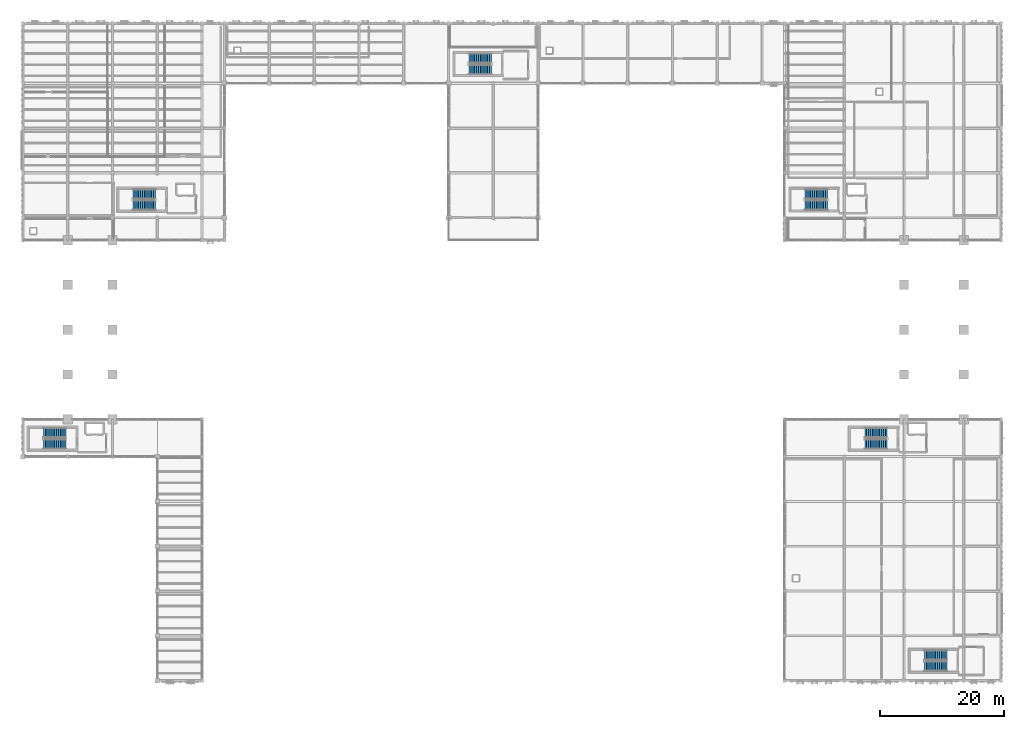
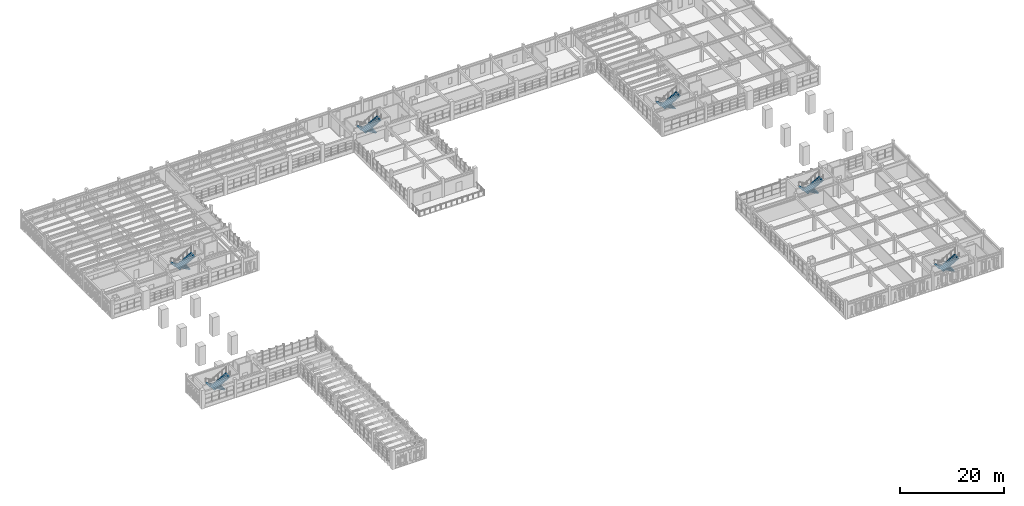
# One storey, part 52 of 69: 12 stair flights, 6 elements without a shape of their own.
"""IFC4 building model written with IfcOpenShell, lengths in metres."""

from ifc_helpers import new_model, si_unit, direction, frame, origin, place, context, subcontext, project, spatial, polyline, outline, extrude, material, type_object, element, aggregate, save


model = new_model("IFC4")

# Units and contexts
model_context = context("Model", 3, precision=1e-05, world=origin(), true_north=direction((0.0, 1.0)))
body_context = subcontext(model_context, "Body", "Model", "MODEL_VIEW")
ifc_project = project(units=[si_unit("LENGTHUNIT", "METRE"), si_unit("AREAUNIT", "SQUARE_METRE"), si_unit("VOLUMEUNIT", "CUBIC_METRE"), si_unit("PLANEANGLEUNIT", "RADIAN"), si_unit("MASSUNIT", "GRAM", prefix="KILO")], contexts=[model_context])

# Site, building, storey
site_placement = place(None, origin())
site = spatial("IfcSite", under=ifc_project, at=site_placement, CompositionType="ELEMENT")
building_placement = place(site_placement, origin())
building = spatial("IfcBuilding", under=site, at=building_placement, Name="Nzembalo Square Collegiate School", CompositionType="ELEMENT")
storey_placement = place(building_placement, frame((0.0, 0.0, 5.10009765625)))
storey = spatial("IfcBuildingStorey", under=building, at=storey_placement, Name="L01", CompositionType="ELEMENT", Elevation=5.10009765625)

# Stair, stair flights
ifc_material_1 = material(Name="Precast concrete C40/50", Category="concrete")
stair_type = type_object("IfcStairType", Name="ST-26R", PredefinedType="HALF_TURN_STAIR", material=ifc_material_1)
stair_1_placement = place(storey_placement, origin())
stair_1 = element("IfcStair", 1, at=stair_1_placement, inside=storey, type_object=stair_type, Name="Escape stair ST-03 (C1 L01)", PredefinedType="HALF_TURN_STAIR")
ifc_material_2 = material(Name="Precast concrete C40/50", Category="concrete")
stair_flight_type = type_object("IfcStairFlightType", Name="FL-13R", PredefinedType="STRAIGHT", material=ifc_material_2)
stair_flight_1_placement = place(storey_placement, frame((15.300048828125, 48.199951171875, 0.0), z_axis=(0.0, 0.0, 1.0), x_axis=(-1.0, 0.0, 0.0)))
stair_flight_1 = element("IfcStairFlight", 2, at=stair_flight_1_placement, type_object=stair_flight_type, Name="ST-03 flight 1", NumberOfRisers=13, NumberOfTreads=12, PredefinedType="STRAIGHT", RiserHeight=0.17, TreadLength=0.3, context=body_context, shape_type="SweptSolid", body=[
    extrude(outline(polyline([(0.0, 0.0), (0.0, 0.169921875), (0.300048828125, 0.169921875), (0.300048828125, 0.340087890625), (0.60009765625, 0.340087890625), (0.60009765625, 0.510009765625), (0.89990234375, 0.510009765625), (0.89990234375, 0.679931640625), (1.199951171875, 0.679931640625), (1.199951171875, 0.85009765625), (1.5, 0.85009765625), (1.5, 1.02001953125), (1.800048828125, 1.02001953125), (1.800048828125, 1.18994140625), (2.10009765625, 1.18994140625), (2.10009765625, 1.360107421875), (2.39990234375, 1.360107421875), (2.39990234375, 1.530029296875), (2.699951171875, 1.530029296875), (2.699951171875, 1.699951171875), (3.0, 1.699951171875), (3.0, 1.8701171875), (3.300048828125, 1.8701171875), (3.300048828125, 2.0400390625), (3.60009765625, 2.0400390625), (3.60009765625, 2.2099609375), (3.60009765625, 1.856201171875), (0.324462890625, 0.0), (0.0, 0.0)])), frame((0.0, 0.800048828125, 0.0), z_axis=(0.0, -1.0, 0.0), x_axis=(1.0, 0.0, 0.0)), (0.0, 0.0, 1.0), 1.60009765625),
])
stair_flight_2_placement = place(storey_placement, frame((11.699951171875, 46.39990234375, 2.2099609375), z_axis=(0.0, 0.0, 1.0), x_axis=(1.0, 0.0, 0.0)))
stair_flight_2 = element("IfcStairFlight", 3, at=stair_flight_2_placement, type_object=stair_flight_type, Name="ST-03 flight 2", NumberOfRisers=13, NumberOfTreads=12, PredefinedType="STRAIGHT", RiserHeight=0.17, TreadLength=0.3, context=body_context, shape_type="SweptSolid", body=[
    extrude(outline(polyline([(0.0, 0.0), (0.0, 0.169921875), (0.300048828125, 0.169921875), (0.300048828125, 0.340087890625), (0.60009765625, 0.340087890625), (0.60009765625, 0.510009765625), (0.89990234375, 0.510009765625), (0.89990234375, 0.679931640625), (1.199951171875, 0.679931640625), (1.199951171875, 0.85009765625), (1.5, 0.85009765625), (1.5, 1.02001953125), (1.800048828125, 1.02001953125), (1.800048828125, 1.18994140625), (2.10009765625, 1.18994140625), (2.10009765625, 1.360107421875), (2.39990234375, 1.360107421875), (2.39990234375, 1.530029296875), (2.699951171875, 1.530029296875), (2.699951171875, 1.699951171875), (3.0, 1.699951171875), (3.0, 1.8701171875), (3.300048828125, 1.8701171875), (3.300048828125, 2.0400390625), (3.60009765625, 2.0400390625), (3.60009765625, 2.2099609375), (3.60009765625, 1.856201171875), (0.324462890625, 0.0), (0.0, 0.0)])), frame((0.0, 0.800048828125, 0.0), z_axis=(0.0, -1.0, 0.0), x_axis=(1.0, 0.0, 0.0)), (0.0, 0.0, 1.0), 1.60009765625),
])
aggregate(stair_1, [stair_flight_1, stair_flight_2])

stair_2_placement = place(storey_placement, origin())
stair_2 = element("IfcStair", 4, at=stair_2_placement, inside=storey, type_object=stair_type, Name="Escape stair ST-07 (C2 L01)", PredefinedType="HALF_TURN_STAIR")
stair_flight_3_placement = place(storey_placement, frame((29.699951171875, 86.60009765625, 0.0), z_axis=(0.0, 0.0, 1.0), x_axis=(-1.0, 0.0, 0.0)))
stair_flight_3 = element("IfcStairFlight", 5, at=stair_flight_3_placement, type_object=stair_flight_type, Name="ST-07 flight 1", NumberOfRisers=13, NumberOfTreads=12, PredefinedType="STRAIGHT", RiserHeight=0.17, TreadLength=0.3, context=body_context, shape_type="SweptSolid", body=[
    extrude(outline(polyline([(0.0, 0.0), (0.0, 0.169921875), (0.300048828125, 0.169921875), (0.300048828125, 0.340087890625), (0.60009765625, 0.340087890625), (0.60009765625, 0.510009765625), (0.89990234375, 0.510009765625), (0.89990234375, 0.679931640625), (1.199951171875, 0.679931640625), (1.199951171875, 0.85009765625), (1.5, 0.85009765625), (1.5, 1.02001953125), (1.800048828125, 1.02001953125), (1.800048828125, 1.18994140625), (2.10009765625, 1.18994140625), (2.10009765625, 1.360107421875), (2.39990234375, 1.360107421875), (2.39990234375, 1.530029296875), (2.699951171875, 1.530029296875), (2.699951171875, 1.699951171875), (3.0, 1.699951171875), (3.0, 1.8701171875), (3.300048828125, 1.8701171875), (3.300048828125, 2.0400390625), (3.60009765625, 2.0400390625), (3.60009765625, 2.2099609375), (3.60009765625, 1.856201171875), (0.324462890625, 0.0), (0.0, 0.0)])), frame((0.0, 0.800048828125, 0.0), z_axis=(0.0, -1.0, 0.0), x_axis=(1.0, 0.0, 0.0)), (0.0, 0.0, 1.0), 1.60009765625),
])
stair_flight_4_placement = place(storey_placement, frame((26.10009765625, 84.800048828125, 2.2099609375), z_axis=(0.0, 0.0, 1.0), x_axis=(1.0, 0.0, 0.0)))
stair_flight_4 = element("IfcStairFlight", 6, at=stair_flight_4_placement, type_object=stair_flight_type, Name="ST-07 flight 2", NumberOfRisers=13, NumberOfTreads=12, PredefinedType="STRAIGHT", RiserHeight=0.17, TreadLength=0.3, context=body_context, shape_type="SweptSolid", body=[
    extrude(outline(polyline([(0.0, 0.0), (0.0, 0.169921875), (0.300048828125, 0.169921875), (0.300048828125, 0.340087890625), (0.60009765625, 0.340087890625), (0.60009765625, 0.510009765625), (0.89990234375, 0.510009765625), (0.89990234375, 0.679931640625), (1.199951171875, 0.679931640625), (1.199951171875, 0.85009765625), (1.5, 0.85009765625), (1.5, 1.02001953125), (1.800048828125, 1.02001953125), (1.800048828125, 1.18994140625), (2.10009765625, 1.18994140625), (2.10009765625, 1.360107421875), (2.39990234375, 1.360107421875), (2.39990234375, 1.530029296875), (2.699951171875, 1.530029296875), (2.699951171875, 1.699951171875), (3.0, 1.699951171875), (3.0, 1.8701171875), (3.300048828125, 1.8701171875), (3.300048828125, 2.0400390625), (3.60009765625, 2.0400390625), (3.60009765625, 2.2099609375), (3.60009765625, 1.856201171875), (0.324462890625, 0.0), (0.0, 0.0)])), frame((0.0, 0.800048828125, 0.0), z_axis=(0.0, -1.0, 0.0), x_axis=(1.0, 0.0, 0.0)), (0.0, 0.0, 1.0), 1.60009765625),
])
aggregate(stair_2, [stair_flight_3, stair_flight_4])

stair_3_placement = place(storey_placement, origin())
stair_3 = element("IfcStair", 7, at=stair_3_placement, inside=storey, type_object=stair_type, Name="Escape stair ST-11 (C3 L01)", PredefinedType="HALF_TURN_STAIR")
stair_flight_5_placement = place(storey_placement, frame((83.699951171875, 108.39990234375, 0.0), z_axis=(0.0, 0.0, 1.0), x_axis=(-1.0, 0.0, 0.0)))
stair_flight_5 = element("IfcStairFlight", 8, at=stair_flight_5_placement, type_object=stair_flight_type, Name="ST-11 flight 1", NumberOfRisers=13, NumberOfTreads=12, PredefinedType="STRAIGHT", RiserHeight=0.17, TreadLength=0.3, context=body_context, shape_type="SweptSolid", body=[
    extrude(outline(polyline([(0.0, 0.0), (0.0, 0.169921875), (0.300048828125, 0.169921875), (0.300048828125, 0.340087890625), (0.60009765625, 0.340087890625), (0.60009765625, 0.510009765625), (0.89990234375, 0.510009765625), (0.89990234375, 0.679931640625), (1.199951171875, 0.679931640625), (1.199951171875, 0.85009765625), (1.5, 0.85009765625), (1.5, 1.02001953125), (1.800048828125, 1.02001953125), (1.800048828125, 1.18994140625), (2.10009765625, 1.18994140625), (2.10009765625, 1.360107421875), (2.39990234375, 1.360107421875), (2.39990234375, 1.530029296875), (2.699951171875, 1.530029296875), (2.699951171875, 1.699951171875), (3.0, 1.699951171875), (3.0, 1.8701171875), (3.300048828125, 1.8701171875), (3.300048828125, 2.0400390625), (3.60009765625, 2.0400390625), (3.60009765625, 2.2099609375), (3.60009765625, 1.856201171875), (0.324462890625, 0.0), (0.0, 0.0)])), frame((0.0, 0.800048828125, 0.0), z_axis=(0.0, -1.0, 0.0), x_axis=(1.0, 0.0, 0.0)), (0.0, 0.0, 1.0), 1.60009765625),
])
stair_flight_6_placement = place(storey_placement, frame((80.10009765625, 106.60009765625, 2.2099609375), z_axis=(0.0, 0.0, 1.0), x_axis=(1.0, 0.0, 0.0)))
stair_flight_6 = element("IfcStairFlight", 9, at=stair_flight_6_placement, type_object=stair_flight_type, Name="ST-11 flight 2", NumberOfRisers=13, NumberOfTreads=12, PredefinedType="STRAIGHT", RiserHeight=0.17, TreadLength=0.3, context=body_context, shape_type="SweptSolid", body=[
    extrude(outline(polyline([(0.0, 0.0), (0.0, 0.169921875), (0.300048828125, 0.169921875), (0.300048828125, 0.340087890625), (0.60009765625, 0.340087890625), (0.60009765625, 0.510009765625), (0.89990234375, 0.510009765625), (0.89990234375, 0.679931640625), (1.199951171875, 0.679931640625), (1.199951171875, 0.85009765625), (1.5, 0.85009765625), (1.5, 1.02001953125), (1.800048828125, 1.02001953125), (1.800048828125, 1.18994140625), (2.10009765625, 1.18994140625), (2.10009765625, 1.360107421875), (2.39990234375, 1.360107421875), (2.39990234375, 1.530029296875), (2.699951171875, 1.530029296875), (2.699951171875, 1.699951171875), (3.0, 1.699951171875), (3.0, 1.8701171875), (3.300048828125, 1.8701171875), (3.300048828125, 2.0400390625), (3.60009765625, 2.0400390625), (3.60009765625, 2.2099609375), (3.60009765625, 1.856201171875), (0.324462890625, 0.0), (0.0, 0.0)])), frame((0.0, 0.800048828125, 0.0), z_axis=(0.0, -1.0, 0.0), x_axis=(1.0, 0.0, 0.0)), (0.0, 0.0, 1.0), 1.60009765625),
])
aggregate(stair_3, [stair_flight_5, stair_flight_6])

stair_4_placement = place(storey_placement, origin())
stair_4 = element("IfcStair", 10, at=stair_4_placement, inside=storey, type_object=stair_type, Name="Escape stair ST-14 (C4 L01)", PredefinedType="HALF_TURN_STAIR")
stair_flight_7_placement = place(storey_placement, frame((137.699951171875, 86.60009765625, 0.0), z_axis=(0.0, 0.0, 1.0), x_axis=(-1.0, 0.0, 0.0)))
stair_flight_7 = element("IfcStairFlight", 11, at=stair_flight_7_placement, type_object=stair_flight_type, Name="ST-14 flight 1", NumberOfRisers=13, NumberOfTreads=12, PredefinedType="STRAIGHT", RiserHeight=0.17, TreadLength=0.3, context=body_context, shape_type="SweptSolid", body=[
    extrude(outline(polyline([(0.0, 0.0), (0.0, 0.169921875), (0.300048828125, 0.169921875), (0.300048828125, 0.340087890625), (0.60009765625, 0.340087890625), (0.60009765625, 0.510009765625), (0.89990234375, 0.510009765625), (0.89990234375, 0.679931640625), (1.199951171875, 0.679931640625), (1.199951171875, 0.85009765625), (1.5, 0.85009765625), (1.5, 1.02001953125), (1.800048828125, 1.02001953125), (1.800048828125, 1.18994140625), (2.10009765625, 1.18994140625), (2.10009765625, 1.360107421875), (2.39990234375, 1.360107421875), (2.39990234375, 1.530029296875), (2.699951171875, 1.530029296875), (2.699951171875, 1.699951171875), (3.0, 1.699951171875), (3.0, 1.8701171875), (3.300048828125, 1.8701171875), (3.300048828125, 2.0400390625), (3.60009765625, 2.0400390625), (3.60009765625, 2.2099609375), (3.60009765625, 1.856201171875), (0.324462890625, 0.0), (0.0, 0.0)])), frame((0.0, 0.800048828125, 0.0), z_axis=(0.0, -1.0, 0.0), x_axis=(1.0, 0.0, 0.0)), (0.0, 0.0, 1.0), 1.60009765625),
])
stair_flight_8_placement = place(storey_placement, frame((134.10009765625, 84.800048828125, 2.2099609375), z_axis=(0.0, 0.0, 1.0), x_axis=(1.0, 0.0, 0.0)))
stair_flight_8 = element("IfcStairFlight", 12, at=stair_flight_8_placement, type_object=stair_flight_type, Name="ST-14 flight 2", NumberOfRisers=13, NumberOfTreads=12, PredefinedType="STRAIGHT", RiserHeight=0.17, TreadLength=0.3, context=body_context, shape_type="SweptSolid", body=[
    extrude(outline(polyline([(0.0, 0.0), (0.0, 0.169921875), (0.300048828125, 0.169921875), (0.300048828125, 0.340087890625), (0.60009765625, 0.340087890625), (0.60009765625, 0.510009765625), (0.89990234375, 0.510009765625), (0.89990234375, 0.679931640625), (1.199951171875, 0.679931640625), (1.199951171875, 0.85009765625), (1.5, 0.85009765625), (1.5, 1.02001953125), (1.800048828125, 1.02001953125), (1.800048828125, 1.18994140625), (2.10009765625, 1.18994140625), (2.10009765625, 1.360107421875), (2.39990234375, 1.360107421875), (2.39990234375, 1.530029296875), (2.699951171875, 1.530029296875), (2.699951171875, 1.699951171875), (3.0, 1.699951171875), (3.0, 1.8701171875), (3.300048828125, 1.8701171875), (3.300048828125, 2.0400390625), (3.60009765625, 2.0400390625), (3.60009765625, 2.2099609375), (3.60009765625, 1.856201171875), (0.324462890625, 0.0), (0.0, 0.0)])), frame((0.0, 0.800048828125, 0.0), z_axis=(0.0, -1.0, 0.0), x_axis=(1.0, 0.0, 0.0)), (0.0, 0.0, 1.0), 1.60009765625),
])
aggregate(stair_4, [stair_flight_7, stair_flight_8])

stair_5_placement = place(storey_placement, origin())
stair_5 = element("IfcStair", 13, at=stair_5_placement, inside=storey, type_object=stair_type, Name="Escape stair ST-20 (C5 L01)", PredefinedType="HALF_TURN_STAIR")
stair_flight_9_placement = place(storey_placement, frame((147.300048828125, 48.199951171875, 0.0), z_axis=(0.0, 0.0, 1.0), x_axis=(-1.0, 0.0, 0.0)))
stair_flight_9 = element("IfcStairFlight", 14, at=stair_flight_9_placement, type_object=stair_flight_type, Name="ST-20 flight 1", NumberOfRisers=13, NumberOfTreads=12, PredefinedType="STRAIGHT", RiserHeight=0.17, TreadLength=0.3, context=body_context, shape_type="SweptSolid", body=[
    extrude(outline(polyline([(0.0, 0.0), (0.0, 0.169921875), (0.300048828125, 0.169921875), (0.300048828125, 0.340087890625), (0.60009765625, 0.340087890625), (0.60009765625, 0.510009765625), (0.89990234375, 0.510009765625), (0.89990234375, 0.679931640625), (1.199951171875, 0.679931640625), (1.199951171875, 0.85009765625), (1.5, 0.85009765625), (1.5, 1.02001953125), (1.800048828125, 1.02001953125), (1.800048828125, 1.18994140625), (2.10009765625, 1.18994140625), (2.10009765625, 1.360107421875), (2.39990234375, 1.360107421875), (2.39990234375, 1.530029296875), (2.699951171875, 1.530029296875), (2.699951171875, 1.699951171875), (3.0, 1.699951171875), (3.0, 1.8701171875), (3.300048828125, 1.8701171875), (3.300048828125, 2.0400390625), (3.60009765625, 2.0400390625), (3.60009765625, 2.2099609375), (3.60009765625, 1.856201171875), (0.324462890625, 0.0), (0.0, 0.0)])), frame((0.0, 0.800048828125, 0.0), z_axis=(0.0, -1.0, 0.0), x_axis=(1.0, 0.0, 0.0)), (0.0, 0.0, 1.0), 1.60009765625),
])
stair_flight_10_placement = place(storey_placement, frame((143.699951171875, 46.39990234375, 2.2099609375), z_axis=(0.0, 0.0, 1.0), x_axis=(1.0, 0.0, 0.0)))
stair_flight_10 = element("IfcStairFlight", 15, at=stair_flight_10_placement, type_object=stair_flight_type, Name="ST-20 flight 2", NumberOfRisers=13, NumberOfTreads=12, PredefinedType="STRAIGHT", RiserHeight=0.17, TreadLength=0.3, context=body_context, shape_type="SweptSolid", body=[
    extrude(outline(polyline([(0.0, 0.0), (0.0, 0.169921875), (0.300048828125, 0.169921875), (0.300048828125, 0.340087890625), (0.60009765625, 0.340087890625), (0.60009765625, 0.510009765625), (0.89990234375, 0.510009765625), (0.89990234375, 0.679931640625), (1.199951171875, 0.679931640625), (1.199951171875, 0.85009765625), (1.5, 0.85009765625), (1.5, 1.02001953125), (1.800048828125, 1.02001953125), (1.800048828125, 1.18994140625), (2.10009765625, 1.18994140625), (2.10009765625, 1.360107421875), (2.39990234375, 1.360107421875), (2.39990234375, 1.530029296875), (2.699951171875, 1.530029296875), (2.699951171875, 1.699951171875), (3.0, 1.699951171875), (3.0, 1.8701171875), (3.300048828125, 1.8701171875), (3.300048828125, 2.0400390625), (3.60009765625, 2.0400390625), (3.60009765625, 2.2099609375), (3.60009765625, 1.856201171875), (0.324462890625, 0.0), (0.0, 0.0)])), frame((0.0, 0.800048828125, 0.0), z_axis=(0.0, -1.0, 0.0), x_axis=(1.0, 0.0, 0.0)), (0.0, 0.0, 1.0), 1.60009765625),
])
aggregate(stair_5, [stair_flight_9, stair_flight_10])

stair_6_placement = place(storey_placement, origin())
stair_6 = element("IfcStair", 16, at=stair_6_placement, inside=storey, type_object=stair_type, Name="Escape stair ST-25 (C6 L01)", PredefinedType="HALF_TURN_STAIR")
stair_flight_11_placement = place(storey_placement, frame((156.89990234375, 12.5, 0.0), z_axis=(0.0, 0.0, 1.0), x_axis=(-1.0, 0.0, 0.0)))
stair_flight_11 = element("IfcStairFlight", 17, at=stair_flight_11_placement, type_object=stair_flight_type, Name="ST-25 flight 1", NumberOfRisers=13, NumberOfTreads=12, PredefinedType="STRAIGHT", RiserHeight=0.17, TreadLength=0.3, context=body_context, shape_type="SweptSolid", body=[
    extrude(outline(polyline([(0.0, 0.0), (0.0, 0.169921875), (0.300048828125, 0.169921875), (0.300048828125, 0.340087890625), (0.60009765625, 0.340087890625), (0.60009765625, 0.510009765625), (0.89990234375, 0.510009765625), (0.89990234375, 0.679931640625), (1.199951171875, 0.679931640625), (1.199951171875, 0.85009765625), (1.5, 0.85009765625), (1.5, 1.02001953125), (1.800048828125, 1.02001953125), (1.800048828125, 1.18994140625), (2.10009765625, 1.18994140625), (2.10009765625, 1.360107421875), (2.39990234375, 1.360107421875), (2.39990234375, 1.530029296875), (2.699951171875, 1.530029296875), (2.699951171875, 1.699951171875), (3.0, 1.699951171875), (3.0, 1.8701171875), (3.300048828125, 1.8701171875), (3.300048828125, 2.0400390625), (3.60009765625, 2.0400390625), (3.60009765625, 2.2099609375), (3.60009765625, 1.856201171875), (0.324462890625, 0.0), (0.0, 0.0)])), frame((0.0, 0.800048828125, 0.0), z_axis=(0.0, -1.0, 0.0), x_axis=(1.0, 0.0, 0.0)), (0.0, 0.0, 1.0), 1.60009765625),
])
stair_flight_12_placement = place(storey_placement, frame((153.300048828125, 10.699951171875, 2.2099609375), z_axis=(0.0, 0.0, 1.0), x_axis=(1.0, 0.0, 0.0)))
stair_flight_12 = element("IfcStairFlight", 18, at=stair_flight_12_placement, type_object=stair_flight_type, Name="ST-25 flight 2", NumberOfRisers=13, NumberOfTreads=12, PredefinedType="STRAIGHT", RiserHeight=0.17, TreadLength=0.3, context=body_context, shape_type="SweptSolid", body=[
    extrude(outline(polyline([(0.0, 0.0), (0.0, 0.169921875), (0.300048828125, 0.169921875), (0.300048828125, 0.340087890625), (0.60009765625, 0.340087890625), (0.60009765625, 0.510009765625), (0.89990234375, 0.510009765625), (0.89990234375, 0.679931640625), (1.199951171875, 0.679931640625), (1.199951171875, 0.85009765625), (1.5, 0.85009765625), (1.5, 1.02001953125), (1.800048828125, 1.02001953125), (1.800048828125, 1.18994140625), (2.10009765625, 1.18994140625), (2.10009765625, 1.360107421875), (2.39990234375, 1.360107421875), (2.39990234375, 1.530029296875), (2.699951171875, 1.530029296875), (2.699951171875, 1.699951171875), (3.0, 1.699951171875), (3.0, 1.8701171875), (3.300048828125, 1.8701171875), (3.300048828125, 2.0400390625), (3.60009765625, 2.0400390625), (3.60009765625, 2.2099609375), (3.60009765625, 1.856201171875), (0.324462890625, 0.0), (0.0, 0.0)])), frame((0.0, 0.800048828125, 0.0), z_axis=(0.0, -1.0, 0.0), x_axis=(1.0, 0.0, 0.0)), (0.0, 0.0, 1.0), 1.60009765625),
])
aggregate(stair_6, [stair_flight_11, stair_flight_12])

save(model, "model.ifc")
